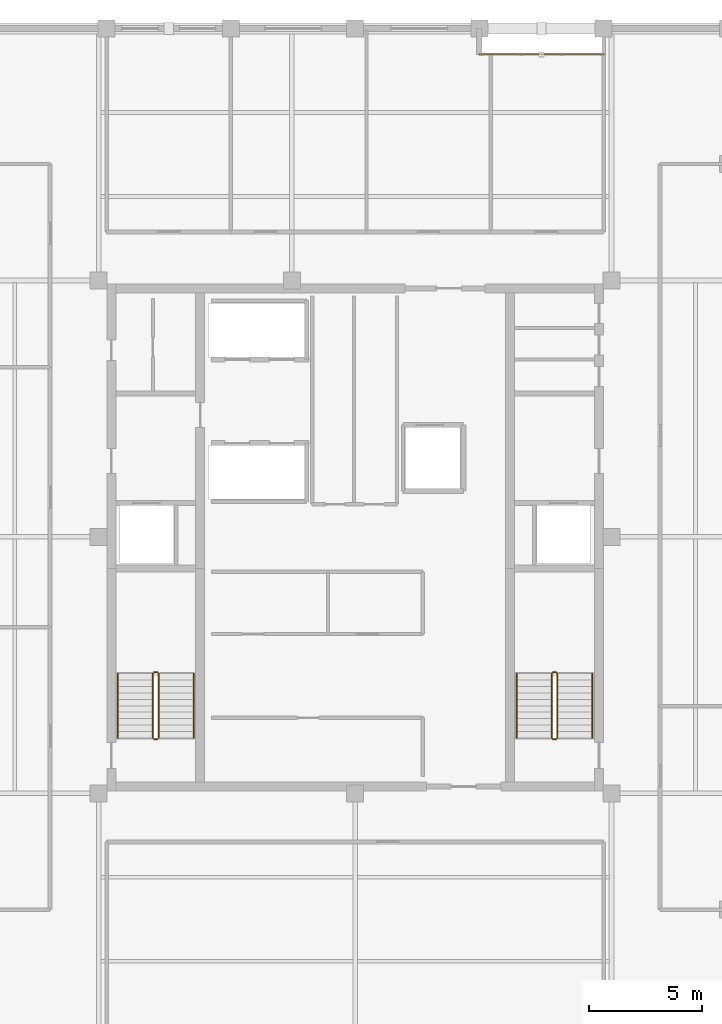
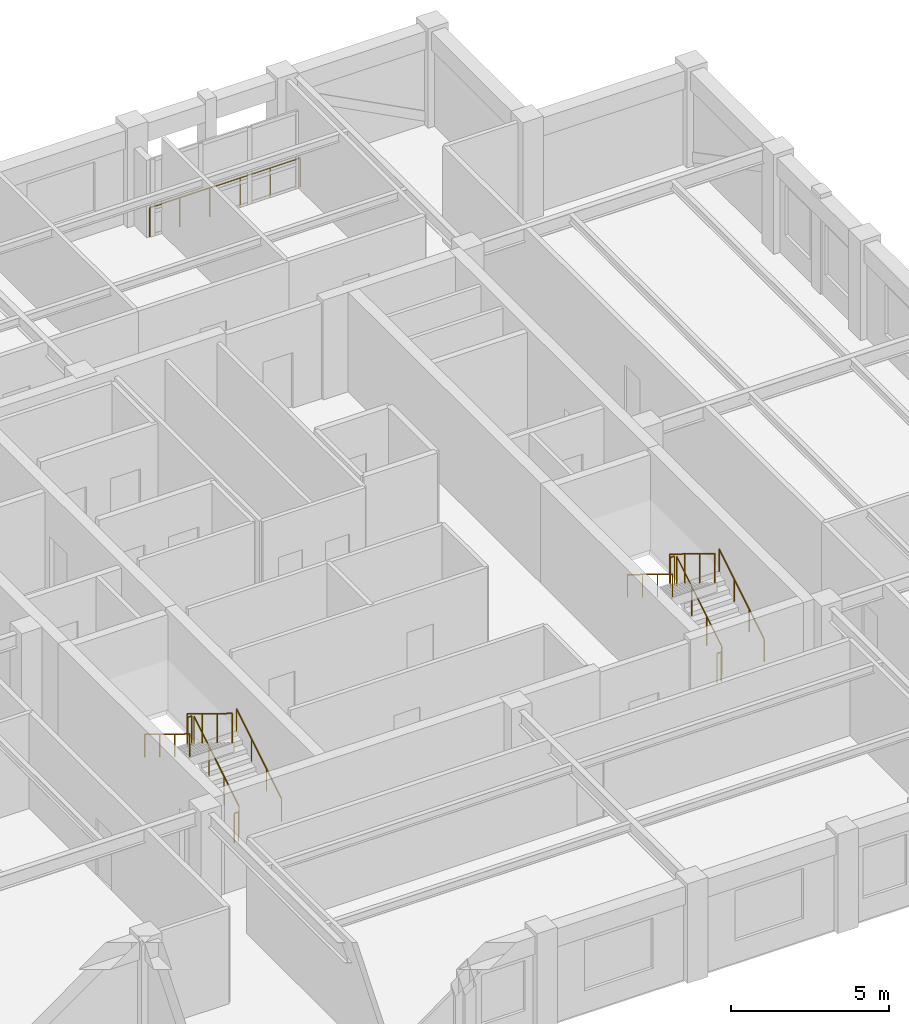
# One storey, part 7 of 7: 13 railings.
"""IFC4 building model written with IfcOpenShell, lengths in metres."""

import ifcopenshell
import ifcopenshell.guid

model = None  # the IFC model being written
_history = None  # IfcOwnerHistory: only IFC2X3 demands one
_inside = {}  # id of a spatial element -> (the spatial element, [elements in it])
_under = {}  # id of a project, library or spatial element -> (it, [spatial elements below it])
_declared = {}  # id of a project -> (the project, [libraries it declares])
_typed = {}  # id of a type object -> (the type object, [elements of that type])
_made_of = {}  # id of a material, layer set ... -> (it, [elements and type objects made of it])


def new_model(schema):
    """Start an empty IFC model of exactly this schema.

    Asked for "IFC4X3", IfcOpenShell would pick the latest addendum, in which some entities
    have other attributes; the version numbers below select the first issue.
    IFC2X3 requires an IfcOwnerHistory on every rooted entity: one is made here for all.
    """
    global model, _history
    if schema == "IFC4X3":
        model = ifcopenshell.file(schema_version=(4, 3, 0, 0))
    else:
        model = ifcopenshell.file(schema=schema)
    _inside.clear()
    _under.clear()
    _declared.clear()
    _typed.clear()
    _made_of.clear()
    _history = None
    if model.schema == "IFC2X3":
        org = make("IfcOrganization", Name="unknown")
        user = make(
            "IfcPersonAndOrganization",
            ThePerson=make("IfcPerson", FamilyName="unknown"),
            TheOrganization=org,
        )
        app = make(
            "IfcApplication",
            ApplicationDeveloper=org,
            Version="unknown",
            ApplicationFullName="unknown",
            ApplicationIdentifier="unknown",
        )
        _history = make(
            "IfcOwnerHistory",
            OwningUser=user,
            OwningApplication=app,
            ChangeAction="ADDED",
            CreationDate=0,
        )
    return model


def make(cls, **values):
    """One entity of the class cls with the attributes given. An attribute that is None is left unset."""
    return model.create_entity(
        cls, **{name: value for name, value in values.items() if value is not None}
    )


def rooted(cls, **values):
    """An entity with a GlobalId (a new one), such as an element, a storey or a relation."""
    return make(cls, GlobalId=ifcopenshell.guid.new(), OwnerHistory=_history, **values)


def si_unit(unit_type, name, prefix=None):
    """IfcSIUnit, for example si_unit("LENGTHUNIT", "METRE", prefix="MILLI")."""
    return make("IfcSIUnit", UnitType=unit_type, Prefix=prefix, Name=name)


def assignment(units):
    """IfcUnitAssignment: the units of a project."""
    return None if units is None else make("IfcUnitAssignment", Units=units)


def point(xyz):
    """IfcCartesianPoint."""
    return None if xyz is None else make("IfcCartesianPoint", Coordinates=xyz)


def direction(xyz):
    """IfcDirection."""
    return None if xyz is None else make("IfcDirection", DirectionRatios=xyz)


def frame(location, z_axis=None, x_axis=None):
    """IfcAxis2Placement3D, a coordinate frame: its origin and axes. An axis left out is left unset."""
    return make(
        "IfcAxis2Placement3D",
        Location=point(location),
        Axis=direction(z_axis),
        RefDirection=direction(x_axis),
    )


def frame_2d(location, x_axis=None):
    """IfcAxis2Placement2D, a coordinate frame in the plane: its origin and x axis."""
    return make(
        "IfcAxis2Placement2D", Location=point(location), RefDirection=direction(x_axis)
    )


def origin():
    """The frame at (0, 0, 0) with its axes left unset."""
    return frame((0.0, 0.0, 0.0))


def origin_2d():
    """The frame at (0, 0) in the plane with its x axis left unset."""
    return frame_2d((0.0, 0.0))


def place(relative_to, where):
    """IfcLocalPlacement: puts the frame where relative to a parent placement (None: the world)."""
    return make(
        "IfcLocalPlacement", PlacementRelTo=relative_to, RelativePlacement=where
    )


def context(
    kind, dimensions, precision=None, world=None, true_north=None, identifier=None
):
    """IfcGeometricRepresentationContext, for example the 3D "Model" context."""
    return make(
        "IfcGeometricRepresentationContext",
        ContextIdentifier=identifier,
        ContextType=kind,
        CoordinateSpaceDimension=dimensions,
        Precision=precision,
        WorldCoordinateSystem=world,
        TrueNorth=true_north,
    )


def subcontext(parent, identifier, kind, view, scale=None):
    """IfcGeometricRepresentationSubContext, for example "Body" below "Model"."""
    return make(
        "IfcGeometricRepresentationSubContext",
        ContextIdentifier=identifier,
        ContextType=kind,
        ParentContext=parent,
        TargetScale=scale,
        TargetView=view,
    )


def project(units=None, contexts=None):
    """IfcProject with its units and contexts."""
    return rooted(
        "IfcProject",
        Name="project",
        RepresentationContexts=contexts,
        UnitsInContext=assignment(units),
    )


def spatial(cls, under=None, at=None, **own):
    """A site, building, storey or space (cls), placed at a placement, below another one or the project."""
    s = rooted(cls, ObjectPlacement=at, **own)
    if under is not None:
        _under.setdefault(under.id(), (under, []))[1].append(s)
    return s


def profile(cls, at=None, kind="AREA", **sizes):
    """A parametric profile (cls). Its sizes go by their IFC names, for example OverallWidth=200.0."""
    return make(cls, ProfileType=kind, Position=at, **sizes)


def circle(**sizes):
    """IfcCircleProfileDef."""
    return profile("IfcCircleProfileDef", **sizes)


def extrude(swept, where, along, depth):
    """IfcExtrudedAreaSolid: the profile swept, set in the frame where, extruded along a direction by depth."""
    return make(
        "IfcExtrudedAreaSolid",
        SweptArea=swept,
        Position=where,
        ExtrudedDirection=direction(along),
        Depth=depth,
    )


def shape(context_of_items, identifier, shape_type, items):
    """IfcShapeRepresentation: the items that make up one representation, for example the "Body"."""
    return make(
        "IfcShapeRepresentation",
        ContextOfItems=context_of_items,
        RepresentationIdentifier=identifier,
        RepresentationType=shape_type,
        Items=items,
    )


def material(Name=None, Category=None):
    """IfcMaterial."""
    return make("IfcMaterial", Name=Name, Category=Category)


def made_of(thing, what):
    """Note that an element or type object is made of a material, layer set ...; save() writes the relation."""
    if what is not None:
        _made_of.setdefault(what.id(), (what, []))[1].append(thing)
    return thing


def type_object(cls, material=None, **own):
    """A type object (cls), such as IfcWallType, which elements share."""
    return made_of(rooted(cls, **own), material)


def element(
    cls,
    number,
    at=None,
    inside=None,
    cuts=None,
    type_object=None,
    material=None,
    context=None,
    identifier="Body",
    shape_type=None,
    held_by="IfcProductDefinitionShape",
    body=None,
    shapes=None,
    **own,
):
    """One element of the class cls, such as IfcWall. Its Tag is "e" and its number.

    at: its placement. inside: the storey or other place that contains it. cuts: it is an
    opening in that element (IfcRelVoidsElement). A single representation is given by context,
    identifier, shape_type and body (its items); several are given by shapes. held_by: the class
    of the entity that holds the representations. save() writes the other relations.
    """
    e = rooted(cls, Tag="e%d" % number, ObjectPlacement=at, **own)
    if body is not None:
        shapes = [shape(context, identifier, shape_type, body)]
    if shapes is not None:
        e.Representation = make(held_by, Representations=shapes)
    if inside is not None:
        _inside.setdefault(inside.id(), (inside, []))[1].append(e)
    if cuts is not None:
        rooted(
            "IfcRelVoidsElement", RelatingBuildingElement=cuts, RelatedOpeningElement=e
        )
    if type_object is not None:
        _typed.setdefault(type_object.id(), (type_object, []))[1].append(e)
    return made_of(e, material)


def aggregate(whole, parts):
    """IfcRelAggregates: a whole, such as a stair, and the parts it consists of."""
    return rooted("IfcRelAggregates", RelatingObject=whole, RelatedObjects=parts)


def save(model, path):
    """Write the relations noted so far, then the file.

    IfcRelAggregates (storeys below a building ...), IfcRelContainedInSpatialStructure (elements
    in a storey), IfcRelDefinesByType, IfcRelAssociatesMaterial and IfcRelDeclares: one each for
    every whole, place, type object, material and project.
    """
    for whole, parts in _under.values():
        aggregate(whole, parts)
    for where, things in _inside.values():
        rooted(
            "IfcRelContainedInSpatialStructure",
            RelatedElements=things,
            RelatingStructure=where,
        )
    for kind, things in _typed.values():
        rooted("IfcRelDefinesByType", RelatedObjects=things, RelatingType=kind)
    for what, things in _made_of.values():
        rooted("IfcRelAssociatesMaterial", RelatedObjects=things, RelatingMaterial=what)
    for by, libraries in _declared.values():
        rooted("IfcRelDeclares", RelatingContext=by, RelatedDefinitions=libraries)
    model.write(path)


model = new_model("IFC4")

# Units and contexts
model_context = context("Model", 3, precision=1e-05, world=origin(), true_north=direction((0.0, 1.0)))
body_context = subcontext(model_context, "Body", "Model", "MODEL_VIEW")
ifc_project = project(units=[si_unit("LENGTHUNIT", "METRE"), si_unit("AREAUNIT", "SQUARE_METRE"), si_unit("VOLUMEUNIT", "CUBIC_METRE"), si_unit("PLANEANGLEUNIT", "RADIAN"), si_unit("MASSUNIT", "GRAM", prefix="KILO")], contexts=[model_context])

# Site, building, storey
site_placement = place(None, origin())
site = spatial("IfcSite", under=ifc_project, at=site_placement, CompositionType="ELEMENT")
building_placement = place(site_placement, origin())
building = spatial("IfcBuilding", under=site, at=building_placement, Name="Nhamokura Convention Tower", CompositionType="ELEMENT")
storey_placement = place(building_placement, frame((0.0, 0.0, 281.39990234375)))
storey = spatial("IfcBuildingStorey", under=building, at=storey_placement, Name="L69", CompositionType="ELEMENT", Elevation=281.39990234375)

# Railings
ifc_material_1 = material(Name="Anodised bronze stainless steel", Category="steel")
railing_type_1 = type_object("IfcRailingType", Name="StairWallHandrail_900", PredefinedType="HANDRAIL", material=ifc_material_1)
railing_1_placement = place(storey_placement, frame((24.85009765625, 23.10009765625, 0.175048828125)))
element("IfcRailing", 1, at=railing_1_placement, inside=storey, type_object=railing_type_1, Name="L69 ST-01 stair handrail 1", PredefinedType="HANDRAIL", context=body_context, shape_type="SweptSolid", body=[
    extrude(circle(Radius=0.02392578125, at=origin_2d()), frame((0.0, 0.0, 0.8759765625), z_axis=(0.0, 0.852159232446, 0.523282564737), x_axis=(-1.0, 0.0, 0.0)), (0.0, 0.0, 1.0), 3.34423828125),
    extrude(circle(Radius=0.02099609375, at=origin_2d()), origin(), (0.0, 0.0, 1.0), 0.851806640625),
    extrude(circle(Radius=0.02099609375, at=origin_2d()), frame((0.0, 0.949951171875, 0.583251953125)), (0.0, 0.0, 1.0), 0.851806640625),
    extrude(circle(Radius=0.02099609375, at=origin_2d()), frame((0.0, 1.89990234375, 1.166748046875)), (0.0, 0.0, 1.0), 0.851806640625),
    extrude(circle(Radius=0.02099609375, at=origin_2d()), frame((0.0, 2.849853515625, 1.75)), (0.0, 0.0, 1.0), 0.851806640625),
])
railing_2_placement = place(storey_placement, frame((21.5, 25.949951171875, 2.10009765625)))
element("IfcRailing", 2, at=railing_2_placement, inside=storey, type_object=railing_type_1, Name="L69 ST-01 stair handrail 2", PredefinedType="HANDRAIL", context=body_context, shape_type="SweptSolid", body=[
    extrude(circle(Radius=0.02392578125, at=origin_2d()), frame((0.0, 0.0, 0.8759765625), z_axis=(0.0, -0.852159232446, 0.523282564737), x_axis=(1.0, 0.0, 0.0)), (0.0, 0.0, 1.0), 3.34423828125),
    extrude(circle(Radius=0.02099609375, at=origin_2d()), origin(), (0.0, 0.0, 1.0), 0.851806640625),
    extrude(circle(Radius=0.02099609375, at=origin_2d()), frame((0.0, -0.949951171875, 0.583251953125)), (0.0, 0.0, 1.0), 0.851806640625),
    extrude(circle(Radius=0.02099609375, at=origin_2d()), frame((0.0, -1.89990234375, 1.166748046875)), (0.0, 0.0, 1.0), 0.851806640625),
    extrude(circle(Radius=0.02099609375, at=origin_2d()), frame((0.0, -2.849853515625, 1.75)), (0.0, 0.0, 1.0), 0.851806640625),
])
railing_3_placement = place(storey_placement, frame((42.5, 23.10009765625, 0.175048828125)))
element("IfcRailing", 3, at=railing_3_placement, inside=storey, type_object=railing_type_1, Name="L69 ST-02 stair handrail 1", PredefinedType="HANDRAIL", context=body_context, shape_type="SweptSolid", body=[
    extrude(circle(Radius=0.02392578125, at=origin_2d()), frame((0.0, 0.0, 0.8759765625), z_axis=(0.0, 0.852159232446, 0.523282564737), x_axis=(-1.0, 0.0, 0.0)), (0.0, 0.0, 1.0), 3.34423828125),
    extrude(circle(Radius=0.02099609375, at=origin_2d()), origin(), (0.0, 0.0, 1.0), 0.851806640625),
    extrude(circle(Radius=0.02099609375, at=origin_2d()), frame((0.0, 0.949951171875, 0.583251953125)), (0.0, 0.0, 1.0), 0.851806640625),
    extrude(circle(Radius=0.02099609375, at=origin_2d()), frame((0.0, 1.89990234375, 1.166748046875)), (0.0, 0.0, 1.0), 0.851806640625),
    extrude(circle(Radius=0.02099609375, at=origin_2d()), frame((0.0, 2.849853515625, 1.75)), (0.0, 0.0, 1.0), 0.851806640625),
])
railing_4_placement = place(storey_placement, frame((39.14990234375, 25.949951171875, 2.10009765625)))
element("IfcRailing", 4, at=railing_4_placement, inside=storey, type_object=railing_type_1, Name="L69 ST-02 stair handrail 2", PredefinedType="HANDRAIL", context=body_context, shape_type="SweptSolid", body=[
    extrude(circle(Radius=0.02392578125, at=origin_2d()), frame((0.0, 0.0, 0.8759765625), z_axis=(0.0, -0.852159232446, 0.523282564737), x_axis=(1.0, 0.0, 0.0)), (0.0, 0.0, 1.0), 3.34423828125),
    extrude(circle(Radius=0.02099609375, at=origin_2d()), origin(), (0.0, 0.0, 1.0), 0.851806640625),
    extrude(circle(Radius=0.02099609375, at=origin_2d()), frame((0.0, -0.949951171875, 0.583251953125)), (0.0, 0.0, 1.0), 0.851806640625),
    extrude(circle(Radius=0.02099609375, at=origin_2d()), frame((0.0, -1.89990234375, 1.166748046875)), (0.0, 0.0, 1.0), 0.851806640625),
    extrude(circle(Radius=0.02099609375, at=origin_2d()), frame((0.0, -2.849853515625, 1.75)), (0.0, 0.0, 1.0), 0.851806640625),
])
ifc_material_2 = material(Name="Painted tubular steel", Category="steel")
railing_type_2 = type_object("IfcRailingType", Name="StairWellGuardrail_1150", PredefinedType="GUARDRAIL", material=ifc_material_2)
railing_5_placement = place(storey_placement, frame((23.300048828125, 23.10009765625, 0.175048828125)))
element("IfcRailing", 5, at=railing_5_placement, inside=storey, type_object=railing_type_2, Name="L69 ST-01 stair guard 1", PredefinedType="GUARDRAIL", context=body_context, shape_type="SweptSolid", body=[
    extrude(circle(Radius=0.02392578125, at=origin_2d()), frame((0.0, 0.0, 1.1259765625), z_axis=(0.0, 0.852159232446, 0.523282564737), x_axis=(-1.0, 0.0, 0.0)), (0.0, 0.0, 1.0), 3.34423828125),
    extrude(circle(Radius=0.02099609375, at=origin_2d()), origin(), (0.0, 0.0, 1.0), 1.101806640625),
    extrude(circle(Radius=0.02099609375, at=origin_2d()), frame((0.0, 0.949951171875, 0.583251953125)), (0.0, 0.0, 1.0), 1.101806640625),
    extrude(circle(Radius=0.02099609375, at=origin_2d()), frame((0.0, 1.89990234375, 1.166748046875)), (0.0, 0.0, 1.0), 1.101806640625),
    extrude(circle(Radius=0.02099609375, at=origin_2d()), frame((0.0, 2.849853515625, 1.75)), (0.0, 0.0, 1.0), 1.101806640625),
])
railing_6_placement = place(storey_placement, frame((23.25, 26.0, 1.925048828125)))
element("IfcRailing", 6, at=railing_6_placement, inside=storey, type_object=railing_type_2, Name="L69 ST-01 stair guard 2", PredefinedType="GUARDRAIL", context=body_context, shape_type="SweptSolid", body=[
    extrude(circle(Radius=0.02392578125, at=origin_2d()), frame((0.0, 0.0, 1.1259765625), z_axis=(-1.0, 0.0, 0.0), x_axis=(0.0, -1.0, 0.0)), (0.0, 0.0, 1.0), 0.14990234375),
    extrude(circle(Radius=0.02099609375, at=origin_2d()), origin(), (0.0, 0.0, 1.0), 1.101806640625),
    extrude(circle(Radius=0.02099609375, at=origin_2d()), frame((-0.14990234375, 0.0, 0.0)), (0.0, 0.0, 1.0), 1.101806640625),
])
railing_7_placement = place(storey_placement, frame((23.050048828125, 25.949951171875, 2.10009765625)))
element("IfcRailing", 7, at=railing_7_placement, inside=storey, type_object=railing_type_2, Name="L69 ST-01 stair guard 3", PredefinedType="GUARDRAIL", context=body_context, shape_type="SweptSolid", body=[
    extrude(circle(Radius=0.02392578125, at=origin_2d()), frame((0.0, 0.0, 1.1259765625), z_axis=(0.0, -0.852159232446, 0.523282564737), x_axis=(1.0, 0.0, 0.0)), (0.0, 0.0, 1.0), 3.34423828125),
    extrude(circle(Radius=0.02099609375, at=origin_2d()), origin(), (0.0, 0.0, 1.0), 1.101806640625),
    extrude(circle(Radius=0.02099609375, at=origin_2d()), frame((0.0, -0.949951171875, 0.583251953125)), (0.0, 0.0, 1.0), 1.101806640625),
    extrude(circle(Radius=0.02099609375, at=origin_2d()), frame((0.0, -1.89990234375, 1.166748046875)), (0.0, 0.0, 1.0), 1.101806640625),
    extrude(circle(Radius=0.02099609375, at=origin_2d()), frame((0.0, -2.849853515625, 1.75)), (0.0, 0.0, 1.0), 1.101806640625),
])
railing_8_placement = place(storey_placement, frame((23.25, 23.050048828125, 0.0)))
element("IfcRailing", 8, at=railing_8_placement, inside=storey, type_object=railing_type_2, Name="L69 ST-01 stair guard 4", PredefinedType="GUARDRAIL", context=body_context, shape_type="SweptSolid", body=[
    extrude(circle(Radius=0.02392578125, at=origin_2d()), frame((0.0, 0.0, 1.1259765625), z_axis=(-1.0, 0.0, 0.0), x_axis=(0.0, -1.0, 0.0)), (0.0, 0.0, 1.0), 0.14990234375),
    extrude(circle(Radius=0.02099609375, at=origin_2d()), origin(), (0.0, 0.0, 1.0), 1.101806640625),
    extrude(circle(Radius=0.02099609375, at=origin_2d()), frame((-0.14990234375, 0.0, 0.0)), (0.0, 0.0, 1.0), 1.101806640625),
])
railing_9_placement = place(storey_placement, frame((40.949951171875, 23.10009765625, 0.175048828125)))
element("IfcRailing", 9, at=railing_9_placement, inside=storey, type_object=railing_type_2, Name="L69 ST-02 stair guard 1", PredefinedType="GUARDRAIL", context=body_context, shape_type="SweptSolid", body=[
    extrude(circle(Radius=0.02392578125, at=origin_2d()), frame((0.0, 0.0, 1.1259765625), z_axis=(0.0, 0.852159232446, 0.523282564737), x_axis=(-1.0, 0.0, 0.0)), (0.0, 0.0, 1.0), 3.34423828125),
    extrude(circle(Radius=0.02099609375, at=origin_2d()), origin(), (0.0, 0.0, 1.0), 1.101806640625),
    extrude(circle(Radius=0.02099609375, at=origin_2d()), frame((0.0, 0.949951171875, 0.583251953125)), (0.0, 0.0, 1.0), 1.101806640625),
    extrude(circle(Radius=0.02099609375, at=origin_2d()), frame((0.0, 1.89990234375, 1.166748046875)), (0.0, 0.0, 1.0), 1.101806640625),
    extrude(circle(Radius=0.02099609375, at=origin_2d()), frame((0.0, 2.849853515625, 1.75)), (0.0, 0.0, 1.0), 1.101806640625),
])
railing_10_placement = place(storey_placement, frame((40.89990234375, 26.0, 1.925048828125)))
element("IfcRailing", 10, at=railing_10_placement, inside=storey, type_object=railing_type_2, Name="L69 ST-02 stair guard 2", PredefinedType="GUARDRAIL", context=body_context, shape_type="SweptSolid", body=[
    extrude(circle(Radius=0.02392578125, at=origin_2d()), frame((0.0, 0.0, 1.1259765625), z_axis=(-1.0, 0.0, 0.0), x_axis=(0.0, -1.0, 0.0)), (0.0, 0.0, 1.0), 0.14990234375),
    extrude(circle(Radius=0.02099609375, at=origin_2d()), origin(), (0.0, 0.0, 1.0), 1.101806640625),
    extrude(circle(Radius=0.02099609375, at=origin_2d()), frame((-0.14990234375, 0.0, 0.0)), (0.0, 0.0, 1.0), 1.101806640625),
])
railing_11_placement = place(storey_placement, frame((40.699951171875, 25.949951171875, 2.10009765625)))
element("IfcRailing", 11, at=railing_11_placement, inside=storey, type_object=railing_type_2, Name="L69 ST-02 stair guard 3", PredefinedType="GUARDRAIL", context=body_context, shape_type="SweptSolid", body=[
    extrude(circle(Radius=0.02392578125, at=origin_2d()), frame((0.0, 0.0, 1.1259765625), z_axis=(0.0, -0.852159232446, 0.523282564737), x_axis=(1.0, 0.0, 0.0)), (0.0, 0.0, 1.0), 3.34423828125),
    extrude(circle(Radius=0.02099609375, at=origin_2d()), origin(), (0.0, 0.0, 1.0), 1.101806640625),
    extrude(circle(Radius=0.02099609375, at=origin_2d()), frame((0.0, -0.949951171875, 0.583251953125)), (0.0, 0.0, 1.0), 1.101806640625),
    extrude(circle(Radius=0.02099609375, at=origin_2d()), frame((0.0, -1.89990234375, 1.166748046875)), (0.0, 0.0, 1.0), 1.101806640625),
    extrude(circle(Radius=0.02099609375, at=origin_2d()), frame((0.0, -2.849853515625, 1.75)), (0.0, 0.0, 1.0), 1.101806640625),
])
railing_12_placement = place(storey_placement, frame((40.89990234375, 23.050048828125, 0.0)))
element("IfcRailing", 12, at=railing_12_placement, inside=storey, type_object=railing_type_2, Name="L69 ST-02 stair guard 4", PredefinedType="GUARDRAIL", context=body_context, shape_type="SweptSolid", body=[
    extrude(circle(Radius=0.02392578125, at=origin_2d()), frame((0.0, 0.0, 1.1259765625), z_axis=(-1.0, 0.0, 0.0), x_axis=(0.0, -1.0, 0.0)), (0.0, 0.0, 1.0), 0.14990234375),
    extrude(circle(Radius=0.02099609375, at=origin_2d()), origin(), (0.0, 0.0, 1.0), 1.101806640625),
    extrude(circle(Radius=0.02099609375, at=origin_2d()), frame((-0.14990234375, 0.0, 0.0)), (0.0, 0.0, 1.0), 1.101806640625),
])
ifc_material_3 = material(Name="Anodised bronze stainless steel", Category="steel")
railing_type_3 = type_object("IfcRailingType", Name="TerraceGuardrail_1150", PredefinedType="GUARDRAIL", material=ifc_material_3)
railing_13_placement = place(storey_placement, frame((37.5, 53.35009765625, 0.0)))
element("IfcRailing", 13, at=railing_13_placement, inside=storey, type_object=railing_type_3, Name="L69 Scale-Slot Edge Guardrail NORTH 4", PredefinedType="GUARDRAIL", context=body_context, shape_type="SweptSolid", body=[
    extrude(circle(Radius=0.02392578125, at=origin_2d()), frame((0.0, 0.0, 1.1259765625), z_axis=(1.0, 0.0, 0.0), x_axis=(0.0, 1.0, 0.0)), (0.0, 0.0, 1.0), 5.5),
    extrude(circle(Radius=0.02099609375, at=origin_2d()), origin(), (0.0, 0.0, 1.0), 1.101806640625),
    extrude(circle(Radius=0.02099609375, at=origin_2d()), frame((1.10009765625, 0.0, 0.0)), (0.0, 0.0, 1.0), 1.101806640625),
    extrude(circle(Radius=0.02099609375, at=origin_2d()), frame((2.199951171875, 0.0, 0.0)), (0.0, 0.0, 1.0), 1.101806640625),
    extrude(circle(Radius=0.02099609375, at=origin_2d()), frame((3.300048828125, 0.0, 0.0)), (0.0, 0.0, 1.0), 1.101806640625),
    extrude(circle(Radius=0.02099609375, at=origin_2d()), frame((4.39990234375, 0.0, 0.0)), (0.0, 0.0, 1.0), 1.101806640625),
    extrude(circle(Radius=0.02099609375, at=origin_2d()), frame((5.5, 0.0, 0.0)), (0.0, 0.0, 1.0), 1.101806640625),
])

save(model, "model.ifc")
